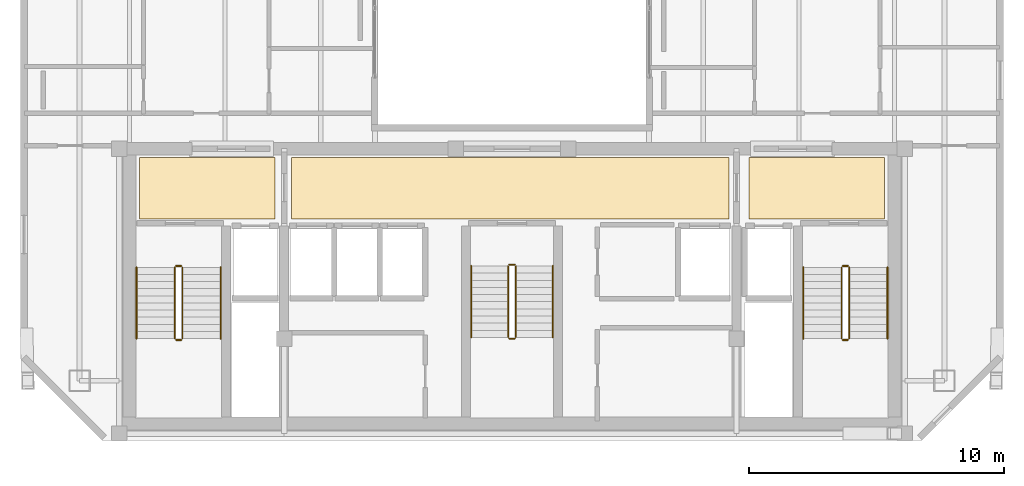
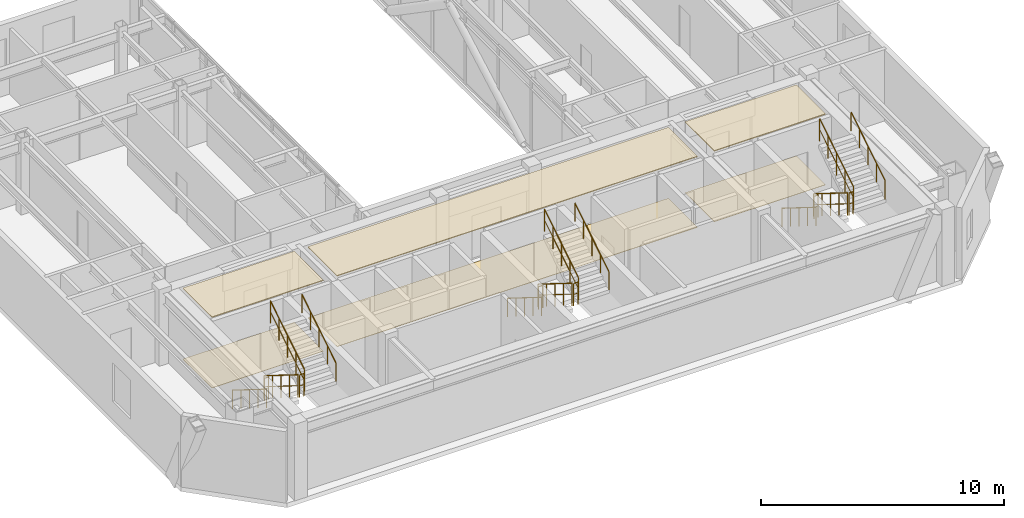
# One storey, part 19 of 19: 18 railings, 6 coverings.
"""IFC4 building model written with IfcOpenShell, lengths in metres."""

from ifc_helpers import new_model, si_unit, direction, frame, origin, origin_2d, place, context, subcontext, project, spatial, polyline, circle, outline, extrude, material, layer, layer_set, type_object, element, save


model = new_model("IFC4")

# Units and contexts
model_context = context("Model", 3, precision=1e-05, world=origin(), true_north=direction((0.0, 1.0)))
body_context = subcontext(model_context, "Body", "Model", "MODEL_VIEW")
ifc_project = project(units=[si_unit("LENGTHUNIT", "METRE"), si_unit("AREAUNIT", "SQUARE_METRE"), si_unit("VOLUMEUNIT", "CUBIC_METRE"), si_unit("PLANEANGLEUNIT", "RADIAN"), si_unit("MASSUNIT", "GRAM", prefix="KILO")], contexts=[model_context])

# Site, building, storey
site_placement = place(None, origin())
site = spatial("IfcSite", under=ifc_project, at=site_placement, CompositionType="ELEMENT")
building_placement = place(site_placement, origin())
building = spatial("IfcBuilding", under=site, at=building_placement, Name="Ventersveld Concourse Tower", CompositionType="ELEMENT")
storey_placement = place(building_placement, frame((0.0, 0.0, 345.199951171875)))
storey = spatial("IfcBuildingStorey", under=building, at=storey_placement, Name="L85", CompositionType="ELEMENT", Elevation=345.199951171875)

# Coverings
ifc_material_1 = material(Name="Mineral-fibre acoustic ceiling tile", Category="gypsum")
ifc_layer_1 = layer(ifc_material_1, 0.0400390625)
ifc_layer_set_1 = layer_set([ifc_layer_1], Name="Mineral-fibre acoustic ceiling tile")
covering_type_1 = type_object("IfcCoveringType", Name="COV-CEIL-ACOUSTIC", PredefinedType="CEILING", material=ifc_layer_set_1)
covering_1_placement = place(storey_placement, frame((0.0, 0.0, 3.550048828125)))
element("IfcCovering", 1, at=covering_1_placement, inside=storey, type_object=covering_type_1, Name="L85 North Lift Lobby Acoustic Ceiling", PredefinedType="CEILING", context=body_context, shape_type="SweptSolid", body=[
    extrude(outline(polyline([(20.10009765625, 8.699951171875), (37.25, 8.699951171875), (37.25, 11.10009765625), (20.10009765625, 11.10009765625), (20.10009765625, 8.699951171875)])), origin(), (0.0, 0.0, 1.0), 0.0400390625),
])
covering_2_placement = place(storey_placement, frame((0.0, 0.0, 3.550048828125)))
element("IfcCovering", 2, at=covering_2_placement, inside=storey, type_object=covering_type_1, Name="L85 West Firefighting Lobby Acoustic Ceiling", PredefinedType="CEILING", context=body_context, shape_type="SweptSolid", body=[
    extrude(outline(polyline([(14.14990234375, 8.699951171875), (19.449951171875, 8.699951171875), (19.449951171875, 11.10009765625), (14.14990234375, 11.10009765625), (14.14990234375, 8.699951171875)])), origin(), (0.0, 0.0, 1.0), 0.0400390625),
])
covering_3_placement = place(storey_placement, frame((0.0, 0.0, 3.550048828125)))
element("IfcCovering", 3, at=covering_3_placement, inside=storey, type_object=covering_type_1, Name="L85 East Firefighting Lobby Acoustic Ceiling", PredefinedType="CEILING", context=body_context, shape_type="SweptSolid", body=[
    extrude(outline(polyline([(38.050048828125, 8.699951171875), (43.35009765625, 8.699951171875), (43.35009765625, 11.10009765625), (38.050048828125, 11.10009765625), (38.050048828125, 8.699951171875)])), origin(), (0.0, 0.0, 1.0), 0.0400390625),
])
ifc_material_2 = material(Name="Polished Highveld granite terrazzo", Category="masonry")
ifc_layer_2 = layer(ifc_material_2, 0.02001953125)
ifc_layer_set_2 = layer_set([ifc_layer_2], Name="Polished Highveld granite terrazzo")
covering_type_2 = type_object("IfcCoveringType", Name="COV-FLOOR-TERRAZZO", PredefinedType="FLOORING", material=ifc_layer_set_2)
covering_4_placement = place(storey_placement, origin())
element("IfcCovering", 4, at=covering_4_placement, inside=storey, type_object=covering_type_2, Name="L85 North Lift Lobby Terrazzo Flooring", PredefinedType="FLOORING", context=body_context, shape_type="SweptSolid", body=[
    extrude(outline(polyline([(20.10009765625, 8.699951171875), (37.25, 8.699951171875), (37.25, 11.10009765625), (20.10009765625, 11.10009765625), (20.10009765625, 8.699951171875)])), origin(), (0.0, 0.0, 1.0), 0.02001953125),
])
covering_5_placement = place(storey_placement, origin())
element("IfcCovering", 5, at=covering_5_placement, inside=storey, type_object=covering_type_2, Name="L85 West Firefighting Lobby Terrazzo Flooring", PredefinedType="FLOORING", context=body_context, shape_type="SweptSolid", body=[
    extrude(outline(polyline([(14.14990234375, 8.699951171875), (19.449951171875, 8.699951171875), (19.449951171875, 11.10009765625), (14.14990234375, 11.10009765625), (14.14990234375, 8.699951171875)])), origin(), (0.0, 0.0, 1.0), 0.02001953125),
])
covering_6_placement = place(storey_placement, origin())
element("IfcCovering", 6, at=covering_6_placement, inside=storey, type_object=covering_type_2, Name="L85 East Firefighting Lobby Terrazzo Flooring", PredefinedType="FLOORING", context=body_context, shape_type="SweptSolid", body=[
    extrude(outline(polyline([(38.050048828125, 8.699951171875), (43.35009765625, 8.699951171875), (43.35009765625, 11.10009765625), (38.050048828125, 11.10009765625), (38.050048828125, 8.699951171875)])), origin(), (0.0, 0.0, 1.0), 0.02001953125),
])

# Railings
ifc_material_3 = material(Name="Brushed stainless steel 316", Category="steel")
railing_type_1 = type_object("IfcRailingType", Name="GD-BAL-115", PredefinedType="GUARDRAIL", material=ifc_material_3)
railing_1_placement = place(storey_placement, frame((15.530029296875, 6.800048828125, 0.175048828125)))
element("IfcRailing", 7, at=railing_1_placement, inside=storey, type_object=railing_type_1, Name="L85 ST-01 stair guard 1", PredefinedType="GUARDRAIL", context=body_context, shape_type="SweptSolid", body=[
    extrude(circle(Radius=0.02392578125, at=origin_2d()), frame((0.0, 0.0, 1.1259765625), z_axis=(0.0, -0.848002457836, 0.529992293815), x_axis=(1.0, 0.0, 0.0)), (0.0, 0.0, 1.0), 3.302001953125),
    extrude(circle(Radius=0.01611328125, at=origin_2d()), frame((0.0, 0.0, 0.574951171875), z_axis=(0.0, -0.848002457836, 0.529992293815), x_axis=(1.0, 0.0, 0.0)), (0.0, 0.0, 1.0), 3.302001953125),
    extrude(circle(Radius=0.02099609375, at=origin_2d()), origin(), (0.0, 0.0, 1.0), 1.101806640625),
    extrude(circle(Radius=0.02099609375, at=origin_2d()), frame((0.0, -0.699951171875, 0.4375)), (0.0, 0.0, 1.0), 1.101806640625),
    extrude(circle(Radius=0.02099609375, at=origin_2d()), frame((0.0, -1.39990234375, 0.875)), (0.0, 0.0, 1.0), 1.101806640625),
    extrude(circle(Radius=0.02099609375, at=origin_2d()), frame((0.0, -2.10009765625, 1.3125)), (0.0, 0.0, 1.0), 1.101806640625),
    extrude(circle(Radius=0.02099609375, at=origin_2d()), frame((0.0, -2.800048828125, 1.75)), (0.0, 0.0, 1.0), 1.101806640625),
])
railing_2_placement = place(storey_placement, frame((15.580078125, 3.949951171875, 1.925048828125)))
element("IfcRailing", 8, at=railing_2_placement, inside=storey, type_object=railing_type_1, Name="L85 ST-01 stair guard 2", PredefinedType="GUARDRAIL", context=body_context, shape_type="SweptSolid", body=[
    extrude(circle(Radius=0.02392578125, at=origin_2d()), frame((0.0, 0.0, 1.1259765625), z_axis=(1.0, 0.0, 0.0), x_axis=(0.0, 1.0, 0.0)), (0.0, 0.0, 1.0), 0.199951171875),
    extrude(circle(Radius=0.01611328125, at=origin_2d()), frame((0.0, 0.0, 0.574951171875), z_axis=(1.0, 0.0, 0.0), x_axis=(0.0, 1.0, 0.0)), (0.0, 0.0, 1.0), 0.199951171875),
    extrude(circle(Radius=0.02099609375, at=origin_2d()), origin(), (0.0, 0.0, 1.0), 1.101806640625),
    extrude(circle(Radius=0.02099609375, at=origin_2d()), frame((0.199951171875, 0.0, 0.0)), (0.0, 0.0, 1.0), 1.101806640625),
])
railing_3_placement = place(storey_placement, frame((15.830078125, 4.0, 2.10009765625)))
element("IfcRailing", 9, at=railing_3_placement, inside=storey, type_object=railing_type_1, Name="L85 ST-01 stair guard 3", PredefinedType="GUARDRAIL", context=body_context, shape_type="SweptSolid", body=[
    extrude(circle(Radius=0.02392578125, at=origin_2d()), frame((0.0, 0.0, 1.1259765625), z_axis=(0.0, 0.848002457836, 0.529992293815), x_axis=(-1.0, 0.0, 0.0)), (0.0, 0.0, 1.0), 3.302001953125),
    extrude(circle(Radius=0.01611328125, at=origin_2d()), frame((0.0, 0.0, 0.574951171875), z_axis=(0.0, 0.848002457836, 0.529992293815), x_axis=(-1.0, 0.0, 0.0)), (0.0, 0.0, 1.0), 3.302001953125),
    extrude(circle(Radius=0.02099609375, at=origin_2d()), origin(), (0.0, 0.0, 1.0), 1.101806640625),
    extrude(circle(Radius=0.02099609375, at=origin_2d()), frame((0.0, 0.699951171875, 0.4375)), (0.0, 0.0, 1.0), 1.101806640625),
    extrude(circle(Radius=0.02099609375, at=origin_2d()), frame((0.0, 1.39990234375, 0.875)), (0.0, 0.0, 1.0), 1.101806640625),
    extrude(circle(Radius=0.02099609375, at=origin_2d()), frame((0.0, 2.10009765625, 1.3125)), (0.0, 0.0, 1.0), 1.101806640625),
    extrude(circle(Radius=0.02099609375, at=origin_2d()), frame((0.0, 2.800048828125, 1.75)), (0.0, 0.0, 1.0), 1.101806640625),
])
railing_4_placement = place(storey_placement, frame((15.580078125, 6.85009765625, 0.0)))
element("IfcRailing", 10, at=railing_4_placement, inside=storey, type_object=railing_type_1, Name="L85 ST-01 stair guard 4", PredefinedType="GUARDRAIL", context=body_context, shape_type="SweptSolid", body=[
    extrude(circle(Radius=0.02392578125, at=origin_2d()), frame((0.0, 0.0, 1.1259765625), z_axis=(1.0, 0.0, 0.0), x_axis=(0.0, 1.0, 0.0)), (0.0, 0.0, 1.0), 0.199951171875),
    extrude(circle(Radius=0.01611328125, at=origin_2d()), frame((0.0, 0.0, 0.574951171875), z_axis=(1.0, 0.0, 0.0), x_axis=(0.0, 1.0, 0.0)), (0.0, 0.0, 1.0), 0.199951171875),
    extrude(circle(Radius=0.02099609375, at=origin_2d()), origin(), (0.0, 0.0, 1.0), 1.101806640625),
    extrude(circle(Radius=0.02099609375, at=origin_2d()), frame((0.199951171875, 0.0, 0.0)), (0.0, 0.0, 1.0), 1.101806640625),
])
railing_5_placement = place(storey_placement, frame((41.669921875, 6.800048828125, 0.175048828125)))
element("IfcRailing", 11, at=railing_5_placement, inside=storey, type_object=railing_type_1, Name="L85 ST-02 stair guard 1", PredefinedType="GUARDRAIL", context=body_context, shape_type="SweptSolid", body=[
    extrude(circle(Radius=0.02392578125, at=origin_2d()), frame((0.0, 0.0, 1.1259765625), z_axis=(0.0, -0.848002457836, 0.529992293815), x_axis=(1.0, 0.0, 0.0)), (0.0, 0.0, 1.0), 3.302001953125),
    extrude(circle(Radius=0.01611328125, at=origin_2d()), frame((0.0, 0.0, 0.574951171875), z_axis=(0.0, -0.848002457836, 0.529992293815), x_axis=(1.0, 0.0, 0.0)), (0.0, 0.0, 1.0), 3.302001953125),
    extrude(circle(Radius=0.02099609375, at=origin_2d()), origin(), (0.0, 0.0, 1.0), 1.101806640625),
    extrude(circle(Radius=0.02099609375, at=origin_2d()), frame((0.0, -0.699951171875, 0.4375)), (0.0, 0.0, 1.0), 1.101806640625),
    extrude(circle(Radius=0.02099609375, at=origin_2d()), frame((0.0, -1.39990234375, 0.875)), (0.0, 0.0, 1.0), 1.101806640625),
    extrude(circle(Radius=0.02099609375, at=origin_2d()), frame((0.0, -2.10009765625, 1.3125)), (0.0, 0.0, 1.0), 1.101806640625),
    extrude(circle(Radius=0.02099609375, at=origin_2d()), frame((0.0, -2.800048828125, 1.75)), (0.0, 0.0, 1.0), 1.101806640625),
])
railing_6_placement = place(storey_placement, frame((41.719970703125, 3.949951171875, 1.925048828125)))
element("IfcRailing", 12, at=railing_6_placement, inside=storey, type_object=railing_type_1, Name="L85 ST-02 stair guard 2", PredefinedType="GUARDRAIL", context=body_context, shape_type="SweptSolid", body=[
    extrude(circle(Radius=0.02392578125, at=origin_2d()), frame((0.0, 0.0, 1.1259765625), z_axis=(1.0, 0.0, 0.0), x_axis=(0.0, 1.0, 0.0)), (0.0, 0.0, 1.0), 0.199951171875),
    extrude(circle(Radius=0.01611328125, at=origin_2d()), frame((0.0, 0.0, 0.574951171875), z_axis=(1.0, 0.0, 0.0), x_axis=(0.0, 1.0, 0.0)), (0.0, 0.0, 1.0), 0.199951171875),
    extrude(circle(Radius=0.02099609375, at=origin_2d()), origin(), (0.0, 0.0, 1.0), 1.101806640625),
    extrude(circle(Radius=0.02099609375, at=origin_2d()), frame((0.199951171875, 0.0, 0.0)), (0.0, 0.0, 1.0), 1.101806640625),
])
railing_7_placement = place(storey_placement, frame((41.969970703125, 4.0, 2.10009765625)))
element("IfcRailing", 13, at=railing_7_placement, inside=storey, type_object=railing_type_1, Name="L85 ST-02 stair guard 3", PredefinedType="GUARDRAIL", context=body_context, shape_type="SweptSolid", body=[
    extrude(circle(Radius=0.02392578125, at=origin_2d()), frame((0.0, 0.0, 1.1259765625), z_axis=(0.0, 0.848002457836, 0.529992293815), x_axis=(-1.0, 0.0, 0.0)), (0.0, 0.0, 1.0), 3.302001953125),
    extrude(circle(Radius=0.01611328125, at=origin_2d()), frame((0.0, 0.0, 0.574951171875), z_axis=(0.0, 0.848002457836, 0.529992293815), x_axis=(-1.0, 0.0, 0.0)), (0.0, 0.0, 1.0), 3.302001953125),
    extrude(circle(Radius=0.02099609375, at=origin_2d()), origin(), (0.0, 0.0, 1.0), 1.101806640625),
    extrude(circle(Radius=0.02099609375, at=origin_2d()), frame((0.0, 0.699951171875, 0.4375)), (0.0, 0.0, 1.0), 1.101806640625),
    extrude(circle(Radius=0.02099609375, at=origin_2d()), frame((0.0, 1.39990234375, 0.875)), (0.0, 0.0, 1.0), 1.101806640625),
    extrude(circle(Radius=0.02099609375, at=origin_2d()), frame((0.0, 2.10009765625, 1.3125)), (0.0, 0.0, 1.0), 1.101806640625),
    extrude(circle(Radius=0.02099609375, at=origin_2d()), frame((0.0, 2.800048828125, 1.75)), (0.0, 0.0, 1.0), 1.101806640625),
])
railing_8_placement = place(storey_placement, frame((41.719970703125, 6.85009765625, 0.0)))
element("IfcRailing", 14, at=railing_8_placement, inside=storey, type_object=railing_type_1, Name="L85 ST-02 stair guard 4", PredefinedType="GUARDRAIL", context=body_context, shape_type="SweptSolid", body=[
    extrude(circle(Radius=0.02392578125, at=origin_2d()), frame((0.0, 0.0, 1.1259765625), z_axis=(1.0, 0.0, 0.0), x_axis=(0.0, 1.0, 0.0)), (0.0, 0.0, 1.0), 0.199951171875),
    extrude(circle(Radius=0.01611328125, at=origin_2d()), frame((0.0, 0.0, 0.574951171875), z_axis=(1.0, 0.0, 0.0), x_axis=(0.0, 1.0, 0.0)), (0.0, 0.0, 1.0), 0.199951171875),
    extrude(circle(Radius=0.02099609375, at=origin_2d()), origin(), (0.0, 0.0, 1.0), 1.101806640625),
    extrude(circle(Radius=0.02099609375, at=origin_2d()), frame((0.199951171875, 0.0, 0.0)), (0.0, 0.0, 1.0), 1.101806640625),
])
railing_9_placement = place(storey_placement, frame((28.60009765625, 6.85009765625, 0.175048828125)))
element("IfcRailing", 15, at=railing_9_placement, inside=storey, type_object=railing_type_1, Name="L85 ST-03 stair guard 1", PredefinedType="GUARDRAIL", context=body_context, shape_type="SweptSolid", body=[
    extrude(circle(Radius=0.02392578125, at=origin_2d()), frame((0.0, 0.0, 1.1259765625), z_axis=(0.0, -0.848002457836, 0.529992293815), x_axis=(1.0, 0.0, 0.0)), (0.0, 0.0, 1.0), 3.302001953125),
    extrude(circle(Radius=0.01611328125, at=origin_2d()), frame((0.0, 0.0, 0.574951171875), z_axis=(0.0, -0.848002457836, 0.529992293815), x_axis=(1.0, 0.0, 0.0)), (0.0, 0.0, 1.0), 3.302001953125),
    extrude(circle(Radius=0.02099609375, at=origin_2d()), origin(), (0.0, 0.0, 1.0), 1.101806640625),
    extrude(circle(Radius=0.02099609375, at=origin_2d()), frame((0.0, -0.699951171875, 0.4375)), (0.0, 0.0, 1.0), 1.101806640625),
    extrude(circle(Radius=0.02099609375, at=origin_2d()), frame((0.0, -1.39990234375, 0.875)), (0.0, 0.0, 1.0), 1.101806640625),
    extrude(circle(Radius=0.02099609375, at=origin_2d()), frame((0.0, -2.10009765625, 1.3125)), (0.0, 0.0, 1.0), 1.101806640625),
    extrude(circle(Radius=0.02099609375, at=origin_2d()), frame((0.0, -2.800048828125, 1.75)), (0.0, 0.0, 1.0), 1.101806640625),
])
railing_10_placement = place(storey_placement, frame((28.64990234375, 4.0, 1.925048828125)))
element("IfcRailing", 16, at=railing_10_placement, inside=storey, type_object=railing_type_1, Name="L85 ST-03 stair guard 2", PredefinedType="GUARDRAIL", context=body_context, shape_type="SweptSolid", body=[
    extrude(circle(Radius=0.02392578125, at=origin_2d()), frame((0.0, 0.0, 1.1259765625), z_axis=(1.0, 0.0, 0.0), x_axis=(0.0, 1.0, 0.0)), (0.0, 0.0, 1.0), 0.2001953125),
    extrude(circle(Radius=0.01611328125, at=origin_2d()), frame((0.0, 0.0, 0.574951171875), z_axis=(1.0, 0.0, 0.0), x_axis=(0.0, 1.0, 0.0)), (0.0, 0.0, 1.0), 0.2001953125),
    extrude(circle(Radius=0.02099609375, at=origin_2d()), origin(), (0.0, 0.0, 1.0), 1.101806640625),
    extrude(circle(Radius=0.02099609375, at=origin_2d()), frame((0.2001953125, 0.0, 0.0)), (0.0, 0.0, 1.0), 1.101806640625),
])
railing_11_placement = place(storey_placement, frame((28.89990234375, 4.050048828125, 2.10009765625)))
element("IfcRailing", 17, at=railing_11_placement, inside=storey, type_object=railing_type_1, Name="L85 ST-03 stair guard 3", PredefinedType="GUARDRAIL", context=body_context, shape_type="SweptSolid", body=[
    extrude(circle(Radius=0.02392578125, at=origin_2d()), frame((0.0, 0.0, 1.1259765625), z_axis=(0.0, 0.848002457836, 0.529992293815), x_axis=(-1.0, 0.0, 0.0)), (0.0, 0.0, 1.0), 3.302001953125),
    extrude(circle(Radius=0.01611328125, at=origin_2d()), frame((0.0, 0.0, 0.574951171875), z_axis=(0.0, 0.848002457836, 0.529992293815), x_axis=(-1.0, 0.0, 0.0)), (0.0, 0.0, 1.0), 3.302001953125),
    extrude(circle(Radius=0.02099609375, at=origin_2d()), origin(), (0.0, 0.0, 1.0), 1.101806640625),
    extrude(circle(Radius=0.02099609375, at=origin_2d()), frame((0.0, 0.699951171875, 0.4375)), (0.0, 0.0, 1.0), 1.101806640625),
    extrude(circle(Radius=0.02099609375, at=origin_2d()), frame((0.0, 1.39990234375, 0.875)), (0.0, 0.0, 1.0), 1.101806640625),
    extrude(circle(Radius=0.02099609375, at=origin_2d()), frame((0.0, 2.10009765625, 1.3125)), (0.0, 0.0, 1.0), 1.101806640625),
    extrude(circle(Radius=0.02099609375, at=origin_2d()), frame((0.0, 2.800048828125, 1.75)), (0.0, 0.0, 1.0), 1.101806640625),
])
railing_12_placement = place(storey_placement, frame((28.64990234375, 6.89990234375, 0.0)))
element("IfcRailing", 18, at=railing_12_placement, inside=storey, type_object=railing_type_1, Name="L85 ST-03 stair guard 4", PredefinedType="GUARDRAIL", context=body_context, shape_type="SweptSolid", body=[
    extrude(circle(Radius=0.02392578125, at=origin_2d()), frame((0.0, 0.0, 1.1259765625), z_axis=(1.0, 0.0, 0.0), x_axis=(0.0, 1.0, 0.0)), (0.0, 0.0, 1.0), 0.2001953125),
    extrude(circle(Radius=0.01611328125, at=origin_2d()), frame((0.0, 0.0, 0.574951171875), z_axis=(1.0, 0.0, 0.0), x_axis=(0.0, 1.0, 0.0)), (0.0, 0.0, 1.0), 0.2001953125),
    extrude(circle(Radius=0.02099609375, at=origin_2d()), origin(), (0.0, 0.0, 1.0), 1.101806640625),
    extrude(circle(Radius=0.02099609375, at=origin_2d()), frame((0.2001953125, 0.0, 0.0)), (0.0, 0.0, 1.0), 1.101806640625),
])
railing_type_2 = type_object("IfcRailingType", Name="HR-RMP-095", PredefinedType="HANDRAIL", material=ifc_material_3)
railing_13_placement = place(storey_placement, frame((14.030029296875, 6.800048828125, 0.175048828125)))
element("IfcRailing", 19, at=railing_13_placement, inside=storey, type_object=railing_type_2, Name="L85 ST-01 stair handrail 1", PredefinedType="HANDRAIL", context=body_context, shape_type="SweptSolid", body=[
    extrude(circle(Radius=0.02392578125, at=origin_2d()), frame((0.0, 0.0, 0.92578125), z_axis=(0.0, -0.848002457836, 0.529992293815), x_axis=(1.0, 0.0, 0.0)), (0.0, 0.0, 1.0), 3.302001953125),
    extrude(circle(Radius=0.02099609375, at=origin_2d()), origin(), (0.0, 0.0, 1.0), 0.90185546875),
    extrude(circle(Radius=0.02099609375, at=origin_2d()), frame((0.0, -0.699951171875, 0.4375)), (0.0, 0.0, 1.0), 0.90185546875),
    extrude(circle(Radius=0.02099609375, at=origin_2d()), frame((0.0, -1.39990234375, 0.875)), (0.0, 0.0, 1.0), 0.90185546875),
    extrude(circle(Radius=0.02099609375, at=origin_2d()), frame((0.0, -2.10009765625, 1.3125)), (0.0, 0.0, 1.0), 0.90185546875),
    extrude(circle(Radius=0.02099609375, at=origin_2d()), frame((0.0, -2.800048828125, 1.75)), (0.0, 0.0, 1.0), 0.90185546875),
])
railing_14_placement = place(storey_placement, frame((17.330078125, 4.0, 2.10009765625)))
element("IfcRailing", 20, at=railing_14_placement, inside=storey, type_object=railing_type_2, Name="L85 ST-01 stair handrail 2", PredefinedType="HANDRAIL", context=body_context, shape_type="SweptSolid", body=[
    extrude(circle(Radius=0.02392578125, at=origin_2d()), frame((0.0, 0.0, 0.92578125), z_axis=(0.0, 0.848002457836, 0.529992293815), x_axis=(-1.0, 0.0, 0.0)), (0.0, 0.0, 1.0), 3.302001953125),
    extrude(circle(Radius=0.02099609375, at=origin_2d()), origin(), (0.0, 0.0, 1.0), 0.90185546875),
    extrude(circle(Radius=0.02099609375, at=origin_2d()), frame((0.0, 0.699951171875, 0.4375)), (0.0, 0.0, 1.0), 0.90185546875),
    extrude(circle(Radius=0.02099609375, at=origin_2d()), frame((0.0, 1.39990234375, 0.875)), (0.0, 0.0, 1.0), 0.90185546875),
    extrude(circle(Radius=0.02099609375, at=origin_2d()), frame((0.0, 2.10009765625, 1.3125)), (0.0, 0.0, 1.0), 0.90185546875),
    extrude(circle(Radius=0.02099609375, at=origin_2d()), frame((0.0, 2.800048828125, 1.75)), (0.0, 0.0, 1.0), 0.90185546875),
])
railing_15_placement = place(storey_placement, frame((40.169921875, 6.800048828125, 0.175048828125)))
element("IfcRailing", 21, at=railing_15_placement, inside=storey, type_object=railing_type_2, Name="L85 ST-02 stair handrail 1", PredefinedType="HANDRAIL", context=body_context, shape_type="SweptSolid", body=[
    extrude(circle(Radius=0.02392578125, at=origin_2d()), frame((0.0, 0.0, 0.92578125), z_axis=(0.0, -0.848002457836, 0.529992293815), x_axis=(1.0, 0.0, 0.0)), (0.0, 0.0, 1.0), 3.302001953125),
    extrude(circle(Radius=0.02099609375, at=origin_2d()), origin(), (0.0, 0.0, 1.0), 0.90185546875),
    extrude(circle(Radius=0.02099609375, at=origin_2d()), frame((0.0, -0.699951171875, 0.4375)), (0.0, 0.0, 1.0), 0.90185546875),
    extrude(circle(Radius=0.02099609375, at=origin_2d()), frame((0.0, -1.39990234375, 0.875)), (0.0, 0.0, 1.0), 0.90185546875),
    extrude(circle(Radius=0.02099609375, at=origin_2d()), frame((0.0, -2.10009765625, 1.3125)), (0.0, 0.0, 1.0), 0.90185546875),
    extrude(circle(Radius=0.02099609375, at=origin_2d()), frame((0.0, -2.800048828125, 1.75)), (0.0, 0.0, 1.0), 0.90185546875),
])
railing_16_placement = place(storey_placement, frame((43.469970703125, 4.0, 2.10009765625)))
element("IfcRailing", 22, at=railing_16_placement, inside=storey, type_object=railing_type_2, Name="L85 ST-02 stair handrail 2", PredefinedType="HANDRAIL", context=body_context, shape_type="SweptSolid", body=[
    extrude(circle(Radius=0.02392578125, at=origin_2d()), frame((0.0, 0.0, 0.92578125), z_axis=(0.0, 0.848002457836, 0.529992293815), x_axis=(-1.0, 0.0, 0.0)), (0.0, 0.0, 1.0), 3.302001953125),
    extrude(circle(Radius=0.02099609375, at=origin_2d()), origin(), (0.0, 0.0, 1.0), 0.90185546875),
    extrude(circle(Radius=0.02099609375, at=origin_2d()), frame((0.0, 0.699951171875, 0.4375)), (0.0, 0.0, 1.0), 0.90185546875),
    extrude(circle(Radius=0.02099609375, at=origin_2d()), frame((0.0, 1.39990234375, 0.875)), (0.0, 0.0, 1.0), 0.90185546875),
    extrude(circle(Radius=0.02099609375, at=origin_2d()), frame((0.0, 2.10009765625, 1.3125)), (0.0, 0.0, 1.0), 0.90185546875),
    extrude(circle(Radius=0.02099609375, at=origin_2d()), frame((0.0, 2.800048828125, 1.75)), (0.0, 0.0, 1.0), 0.90185546875),
])
railing_17_placement = place(storey_placement, frame((27.14990234375, 6.85009765625, 0.175048828125)))
element("IfcRailing", 23, at=railing_17_placement, inside=storey, type_object=railing_type_2, Name="L85 ST-03 stair handrail 1", PredefinedType="HANDRAIL", context=body_context, shape_type="SweptSolid", body=[
    extrude(circle(Radius=0.02392578125, at=origin_2d()), frame((0.0, 0.0, 0.92578125), z_axis=(0.0, -0.848002457836, 0.529992293815), x_axis=(1.0, 0.0, 0.0)), (0.0, 0.0, 1.0), 3.302001953125),
    extrude(circle(Radius=0.02099609375, at=origin_2d()), origin(), (0.0, 0.0, 1.0), 0.90185546875),
    extrude(circle(Radius=0.02099609375, at=origin_2d()), frame((0.0, -0.699951171875, 0.4375)), (0.0, 0.0, 1.0), 0.90185546875),
    extrude(circle(Radius=0.02099609375, at=origin_2d()), frame((0.0, -1.39990234375, 0.875)), (0.0, 0.0, 1.0), 0.90185546875),
    extrude(circle(Radius=0.02099609375, at=origin_2d()), frame((0.0, -2.10009765625, 1.3125)), (0.0, 0.0, 1.0), 0.90185546875),
    extrude(circle(Radius=0.02099609375, at=origin_2d()), frame((0.0, -2.800048828125, 1.75)), (0.0, 0.0, 1.0), 0.90185546875),
])
railing_18_placement = place(storey_placement, frame((30.35009765625, 4.050048828125, 2.10009765625)))
element("IfcRailing", 24, at=railing_18_placement, inside=storey, type_object=railing_type_2, Name="L85 ST-03 stair handrail 2", PredefinedType="HANDRAIL", context=body_context, shape_type="SweptSolid", body=[
    extrude(circle(Radius=0.02392578125, at=origin_2d()), frame((0.0, 0.0, 0.92578125), z_axis=(0.0, 0.848002457836, 0.529992293815), x_axis=(-1.0, 0.0, 0.0)), (0.0, 0.0, 1.0), 3.302001953125),
    extrude(circle(Radius=0.02099609375, at=origin_2d()), origin(), (0.0, 0.0, 1.0), 0.90185546875),
    extrude(circle(Radius=0.02099609375, at=origin_2d()), frame((0.0, 0.699951171875, 0.4375)), (0.0, 0.0, 1.0), 0.90185546875),
    extrude(circle(Radius=0.02099609375, at=origin_2d()), frame((0.0, 1.39990234375, 0.875)), (0.0, 0.0, 1.0), 0.90185546875),
    extrude(circle(Radius=0.02099609375, at=origin_2d()), frame((0.0, 2.10009765625, 1.3125)), (0.0, 0.0, 1.0), 0.90185546875),
    extrude(circle(Radius=0.02099609375, at=origin_2d()), frame((0.0, 2.800048828125, 1.75)), (0.0, 0.0, 1.0), 0.90185546875),
])

save(model, "model.ifc")
